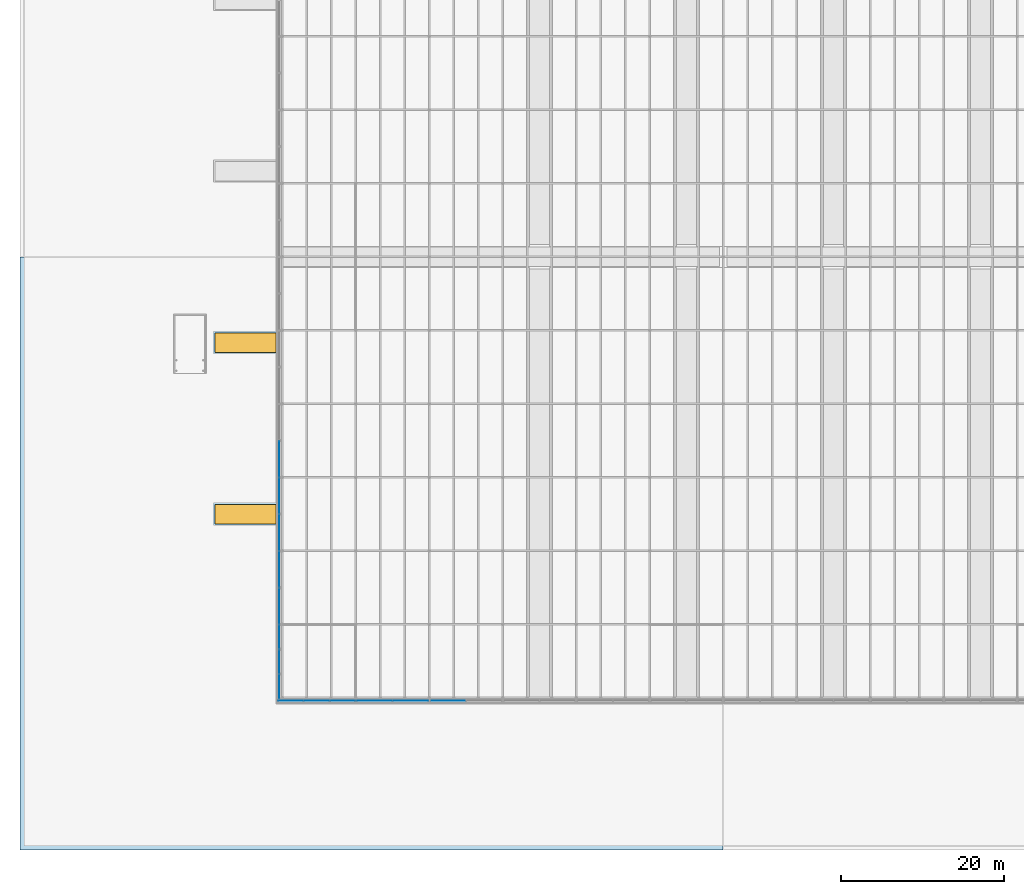
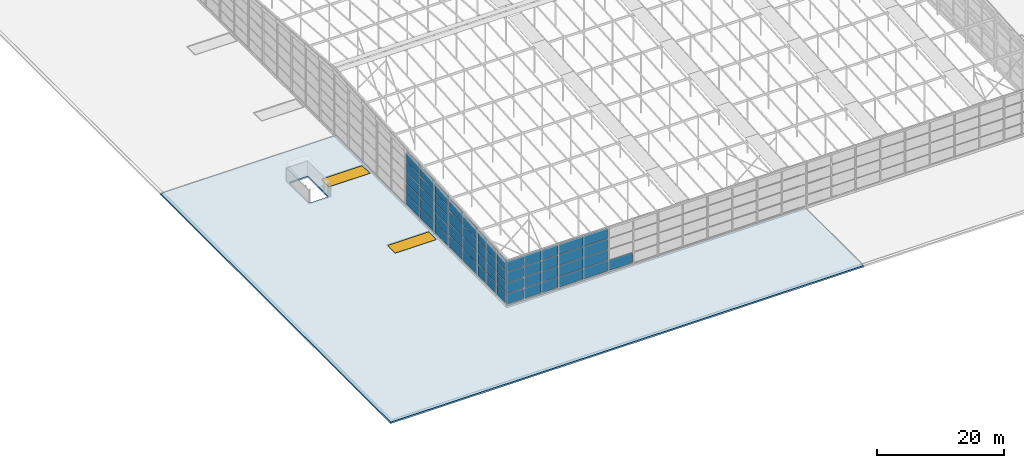
"""IFC4 building model written with IfcOpenShell, lengths in metres."""

from ifc_helpers import new_model, si_unit, direction, frame, origin, origin_2d, place, context, subcontext, project, spatial, polyline, rectangle, outline, extrude, material, layer, layer_set, type_object, element, fill, aggregate, save


model = new_model("IFC4")

# Units and contexts
model_context = context("Model", 3, precision=1e-05, world=origin(), true_north=direction((0.0, 1.0)))
body_context = subcontext(model_context, "Body", "Model", "MODEL_VIEW")
ifc_project = project(units=[si_unit("LENGTHUNIT", "METRE"), si_unit("AREAUNIT", "SQUARE_METRE"), si_unit("VOLUMEUNIT", "CUBIC_METRE"), si_unit("PLANEANGLEUNIT", "RADIAN"), si_unit("MASSUNIT", "GRAM", prefix="KILO")], contexts=[model_context])

# Site, building, storey
site_placement = place(None, origin())
site = spatial("IfcSite", under=ifc_project, at=site_placement, CompositionType="ELEMENT")
building_placement = place(site_placement, origin())
building = spatial("IfcBuilding", under=site, at=building_placement, Name="Silverbay Arena", CompositionType="ELEMENT")
storey_1_placement = place(building_placement, frame((0.0, 0.0, 47.10009765625)))
storey_1 = spatial("IfcBuildingStorey", under=building, at=storey_1_placement, Name="ROOF", CompositionType="ELEMENT", Elevation=47.10009765625)

# Curtain wall, plates
ifc_material_1 = material(Name="Aluminium framed glazing", Category="aluminium")
curtain_wall_type_1 = type_object("IfcCurtainWallType", Name="Curtain wall crown 9575 x 8425", PredefinedType="NOTDEFINED", material=ifc_material_1)
curtain_wall_1_placement = place(storey_1_placement, origin())
curtain_wall_1 = element("IfcCurtainWall", 1, at=curtain_wall_1_placement, inside=storey_1, type_object=curtain_wall_type_1, Name="ROOF CROWN CURTAIN WALL south bay 01", PredefinedType="NOTDEFINED")
ifc_material_2 = material(Name="Laminated glass", Category="glass")
ifc_layer_1 = layer(ifc_material_2, 0.031982421875)
ifc_layer_set_1 = layer_set([ifc_layer_1], Name="Laminated glass")
plate_type = type_object("IfcPlateType", Name="Glass panel 32", PredefinedType="CURTAIN_PANEL", material=ifc_layer_set_1)
storey_2_placement = place(building_placement, frame((0.0, 0.0, 33.5)))
plate_1_placement = place(storey_2_placement, frame((82.0458984375, 26.64990234375, 14.110107421875), z_axis=(0.0, 0.0, 1.0), x_axis=(1.0, 0.0, 0.0)))
plate_1 = element("IfcPlate", 2, at=plate_1_placement, type_object=plate_type, Name="CW61 panel 1.1", PredefinedType="CURTAIN_PANEL", context=body_context, shape_type="SweptSolid", body=[
    extrude(rectangle(XDim=3.041748046875, YDim=0.031982421875, at=origin_2d()), origin(), (0.0, 0.0, 1.0), 2.01611328125),
])
plate_2_placement = place(storey_2_placement, frame((82.0458984375, 26.64990234375, 16.18603515625), z_axis=(0.0, 0.0, 1.0), x_axis=(1.0, 0.0, 0.0)))
plate_2 = element("IfcPlate", 3, at=plate_2_placement, type_object=plate_type, Name="CW61 panel 1.2", PredefinedType="CURTAIN_PANEL", context=body_context, shape_type="SweptSolid", body=[
    extrude(rectangle(XDim=3.041748046875, YDim=0.031982421875, at=origin_2d()), origin(), (0.0, 0.0, 1.0), 2.046142578125),
])
plate_3_placement = place(storey_2_placement, frame((82.0458984375, 26.64990234375, 18.29248046875), z_axis=(0.0, 0.0, 1.0), x_axis=(1.0, 0.0, 0.0)))
plate_3 = element("IfcPlate", 4, at=plate_3_placement, type_object=plate_type, Name="CW61 panel 1.3", PredefinedType="CURTAIN_PANEL", context=body_context, shape_type="SweptSolid", body=[
    extrude(rectangle(XDim=3.041748046875, YDim=0.031982421875, at=origin_2d()), origin(), (0.0, 0.0, 1.0), 2.046142578125),
])
plate_4_placement = place(storey_2_placement, frame((82.0458984375, 26.64990234375, 20.398681640625), z_axis=(0.0, 0.0, 1.0), x_axis=(1.0, 0.0, 0.0)))
plate_4 = element("IfcPlate", 5, at=plate_4_placement, type_object=plate_type, Name="CW61 panel 1.4", PredefinedType="CURTAIN_PANEL", context=body_context, shape_type="SweptSolid", body=[
    extrude(rectangle(XDim=3.041748046875, YDim=0.031982421875, at=origin_2d()), origin(), (0.0, 0.0, 1.0), 2.01611328125),
])
plate_5_placement = place(storey_2_placement, frame((85.21240234375, 26.64990234375, 14.110107421875), z_axis=(0.0, 0.0, 1.0), x_axis=(1.0, 0.0, 0.0)))
plate_5 = element("IfcPlate", 6, at=plate_5_placement, type_object=plate_type, Name="CW61 panel 2.1", PredefinedType="CURTAIN_PANEL", context=body_context, shape_type="SweptSolid", body=[
    extrude(rectangle(XDim=3.091552734375, YDim=0.031982421875, at=origin_2d()), origin(), (0.0, 0.0, 1.0), 2.01611328125),
])
plate_6_placement = place(storey_2_placement, frame((85.21240234375, 26.64990234375, 16.18603515625), z_axis=(0.0, 0.0, 1.0), x_axis=(1.0, 0.0, 0.0)))
plate_6 = element("IfcPlate", 7, at=plate_6_placement, type_object=plate_type, Name="CW61 panel 2.2", PredefinedType="CURTAIN_PANEL", context=body_context, shape_type="SweptSolid", body=[
    extrude(rectangle(XDim=3.091552734375, YDim=0.031982421875, at=origin_2d()), origin(), (0.0, 0.0, 1.0), 2.046142578125),
])
plate_7_placement = place(storey_2_placement, frame((85.21240234375, 26.64990234375, 18.29248046875), z_axis=(0.0, 0.0, 1.0), x_axis=(1.0, 0.0, 0.0)))
plate_7 = element("IfcPlate", 8, at=plate_7_placement, type_object=plate_type, Name="CW61 panel 2.3", PredefinedType="CURTAIN_PANEL", context=body_context, shape_type="SweptSolid", body=[
    extrude(rectangle(XDim=3.091552734375, YDim=0.031982421875, at=origin_2d()), origin(), (0.0, 0.0, 1.0), 2.046142578125),
])
plate_8_placement = place(storey_2_placement, frame((85.21240234375, 26.64990234375, 20.398681640625), z_axis=(0.0, 0.0, 1.0), x_axis=(1.0, 0.0, 0.0)))
plate_8 = element("IfcPlate", 9, at=plate_8_placement, type_object=plate_type, Name="CW61 panel 2.4", PredefinedType="CURTAIN_PANEL", context=body_context, shape_type="SweptSolid", body=[
    extrude(rectangle(XDim=3.091552734375, YDim=0.031982421875, at=origin_2d()), origin(), (0.0, 0.0, 1.0), 2.01611328125),
])
plate_9_placement = place(storey_2_placement, frame((88.379150390625, 26.64990234375, 14.110107421875), z_axis=(0.0, 0.0, 1.0), x_axis=(1.0, 0.0, 0.0)))
plate_9 = element("IfcPlate", 10, at=plate_9_placement, type_object=plate_type, Name="CW61 panel 3.1", PredefinedType="CURTAIN_PANEL", context=body_context, shape_type="SweptSolid", body=[
    extrude(rectangle(XDim=3.041748046875, YDim=0.031982421875, at=origin_2d()), origin(), (0.0, 0.0, 1.0), 2.01611328125),
])
plate_10_placement = place(storey_2_placement, frame((88.379150390625, 26.64990234375, 16.18603515625), z_axis=(0.0, 0.0, 1.0), x_axis=(1.0, 0.0, 0.0)))
plate_10 = element("IfcPlate", 11, at=plate_10_placement, type_object=plate_type, Name="CW61 panel 3.2", PredefinedType="CURTAIN_PANEL", context=body_context, shape_type="SweptSolid", body=[
    extrude(rectangle(XDim=3.041748046875, YDim=0.031982421875, at=origin_2d()), origin(), (0.0, 0.0, 1.0), 2.046142578125),
])
plate_11_placement = place(storey_2_placement, frame((88.379150390625, 26.64990234375, 18.29248046875), z_axis=(0.0, 0.0, 1.0), x_axis=(1.0, 0.0, 0.0)))
plate_11 = element("IfcPlate", 12, at=plate_11_placement, type_object=plate_type, Name="CW61 panel 3.3", PredefinedType="CURTAIN_PANEL", context=body_context, shape_type="SweptSolid", body=[
    extrude(rectangle(XDim=3.041748046875, YDim=0.031982421875, at=origin_2d()), origin(), (0.0, 0.0, 1.0), 2.046142578125),
])
plate_12_placement = place(storey_2_placement, frame((88.379150390625, 26.64990234375, 20.398681640625), z_axis=(0.0, 0.0, 1.0), x_axis=(1.0, 0.0, 0.0)))
plate_12 = element("IfcPlate", 13, at=plate_12_placement, type_object=plate_type, Name="CW61 panel 3.4", PredefinedType="CURTAIN_PANEL", context=body_context, shape_type="SweptSolid", body=[
    extrude(rectangle(XDim=3.041748046875, YDim=0.031982421875, at=origin_2d()), origin(), (0.0, 0.0, 1.0), 2.01611328125),
])
aggregate(curtain_wall_1, [plate_1, plate_2, plate_3, plate_4, plate_5, plate_6, plate_7, plate_8, plate_9, plate_10, plate_11, plate_12])

ifc_material_3 = material(Name="Aluminium framed glazing", Category="aluminium")
curtain_wall_type_2 = type_object("IfcCurtainWallType", Name="Curtain wall crown 9000 x 8425", PredefinedType="NOTDEFINED", material=ifc_material_3)
curtain_wall_2_placement = place(storey_1_placement, origin())
curtain_wall_2 = element("IfcCurtainWall", 14, at=curtain_wall_2_placement, inside=storey_1, type_object=curtain_wall_type_2, Name="ROOF CROWN CURTAIN WALL south bay 02", PredefinedType="NOTDEFINED")
plate_13_placement = place(storey_2_placement, frame((92.27490234375, 26.64990234375, 14.110107421875), z_axis=(0.0, 0.0, 1.0), x_axis=(1.0, 0.0, 0.0)))
plate_13 = element("IfcPlate", 15, at=plate_13_placement, type_object=plate_type, Name="CW62 panel 1.1", PredefinedType="CURTAIN_PANEL", context=body_context, shape_type="SweptSolid", body=[
    extrude(rectangle(XDim=4.35009765625, YDim=0.031982421875, at=origin_2d()), origin(), (0.0, 0.0, 1.0), 2.01611328125),
])
plate_14_placement = place(storey_2_placement, frame((92.27490234375, 26.64990234375, 16.18603515625), z_axis=(0.0, 0.0, 1.0), x_axis=(1.0, 0.0, 0.0)))
plate_14 = element("IfcPlate", 16, at=plate_14_placement, type_object=plate_type, Name="CW62 panel 1.2", PredefinedType="CURTAIN_PANEL", context=body_context, shape_type="SweptSolid", body=[
    extrude(rectangle(XDim=4.35009765625, YDim=0.031982421875, at=origin_2d()), origin(), (0.0, 0.0, 1.0), 2.046142578125),
])
plate_15_placement = place(storey_2_placement, frame((92.27490234375, 26.64990234375, 18.29248046875), z_axis=(0.0, 0.0, 1.0), x_axis=(1.0, 0.0, 0.0)))
plate_15 = element("IfcPlate", 17, at=plate_15_placement, type_object=plate_type, Name="CW62 panel 1.3", PredefinedType="CURTAIN_PANEL", context=body_context, shape_type="SweptSolid", body=[
    extrude(rectangle(XDim=4.35009765625, YDim=0.031982421875, at=origin_2d()), origin(), (0.0, 0.0, 1.0), 2.046142578125),
])
plate_16_placement = place(storey_2_placement, frame((92.27490234375, 26.64990234375, 20.398681640625), z_axis=(0.0, 0.0, 1.0), x_axis=(1.0, 0.0, 0.0)))
plate_16 = element("IfcPlate", 18, at=plate_16_placement, type_object=plate_type, Name="CW62 panel 1.4", PredefinedType="CURTAIN_PANEL", context=body_context, shape_type="SweptSolid", body=[
    extrude(rectangle(XDim=4.35009765625, YDim=0.031982421875, at=origin_2d()), origin(), (0.0, 0.0, 1.0), 2.01611328125),
])
plate_17_placement = place(storey_2_placement, frame((96.72509765625, 26.64990234375, 14.110107421875), z_axis=(0.0, 0.0, 1.0), x_axis=(1.0, 0.0, 0.0)))
plate_17 = element("IfcPlate", 19, at=plate_17_placement, type_object=plate_type, Name="CW62 panel 2.1", PredefinedType="CURTAIN_PANEL", context=body_context, shape_type="SweptSolid", body=[
    extrude(rectangle(XDim=4.35009765625, YDim=0.031982421875, at=origin_2d()), origin(), (0.0, 0.0, 1.0), 2.01611328125),
])
plate_18_placement = place(storey_2_placement, frame((96.72509765625, 26.64990234375, 16.18603515625), z_axis=(0.0, 0.0, 1.0), x_axis=(1.0, 0.0, 0.0)))
plate_18 = element("IfcPlate", 20, at=plate_18_placement, type_object=plate_type, Name="CW62 panel 2.2", PredefinedType="CURTAIN_PANEL", context=body_context, shape_type="SweptSolid", body=[
    extrude(rectangle(XDim=4.35009765625, YDim=0.031982421875, at=origin_2d()), origin(), (0.0, 0.0, 1.0), 2.046142578125),
])
plate_19_placement = place(storey_2_placement, frame((96.72509765625, 26.64990234375, 18.29248046875), z_axis=(0.0, 0.0, 1.0), x_axis=(1.0, 0.0, 0.0)))
plate_19 = element("IfcPlate", 21, at=plate_19_placement, type_object=plate_type, Name="CW62 panel 2.3", PredefinedType="CURTAIN_PANEL", context=body_context, shape_type="SweptSolid", body=[
    extrude(rectangle(XDim=4.35009765625, YDim=0.031982421875, at=origin_2d()), origin(), (0.0, 0.0, 1.0), 2.046142578125),
])
plate_20_placement = place(storey_2_placement, frame((96.72509765625, 26.64990234375, 20.398681640625), z_axis=(0.0, 0.0, 1.0), x_axis=(1.0, 0.0, 0.0)))
plate_20 = element("IfcPlate", 22, at=plate_20_placement, type_object=plate_type, Name="CW62 panel 2.4", PredefinedType="CURTAIN_PANEL", context=body_context, shape_type="SweptSolid", body=[
    extrude(rectangle(XDim=4.35009765625, YDim=0.031982421875, at=origin_2d()), origin(), (0.0, 0.0, 1.0), 2.01611328125),
])
aggregate(curtain_wall_2, [plate_13, plate_14, plate_15, plate_16, plate_17, plate_18, plate_19, plate_20])

# Curtain wall, plate
curtain_wall_3_placement = place(storey_1_placement, origin())
curtain_wall_3 = element("IfcCurtainWall", 23, at=curtain_wall_3_placement, inside=storey_1, type_object=curtain_wall_type_2, Name="ROOF CROWN CURTAIN WALL south bay 03", PredefinedType="NOTDEFINED")
plate_21_placement = place(storey_2_placement, frame((101.27490234375, 26.64990234375, 14.110107421875), z_axis=(0.0, 0.0, 1.0), x_axis=(1.0, 0.0, 0.0)))
plate_21 = element("IfcPlate", 24, at=plate_21_placement, type_object=plate_type, Name="CW62 panel 1.1", PredefinedType="CURTAIN_PANEL", context=body_context, shape_type="SweptSolid", body=[
    extrude(rectangle(XDim=4.35009765625, YDim=0.031982421875, at=origin_2d()), origin(), (0.0, 0.0, 1.0), 2.01611328125),
])
aggregate(curtain_wall_3, [plate_21])

# Curtain wall, plates
ifc_material_4 = material(Name="Aluminium framed glazing", Category="aluminium")
curtain_wall_type_3 = type_object("IfcCurtainWallType", Name="Curtain wall crown 3042 x 8441", PredefinedType="NOTDEFINED", material=ifc_material_4)
curtain_wall_4_placement = place(storey_1_placement, origin())
curtain_wall_4 = element("IfcCurtainWall", 25, at=curtain_wall_4_placement, inside=storey_1, type_object=curtain_wall_type_3, Name="ROOF CROWN CURTAIN WALL west bay 01", PredefinedType="NOTDEFINED")
plate_22_placement = place(storey_2_placement, frame((80.64990234375, 28.395751953125, 14.10986328125), z_axis=(0.0, 0.0, 1.0), x_axis=(0.0, 1.0, 0.0)))
plate_22 = element("IfcPlate", 26, at=plate_22_placement, type_object=plate_type, Name="CW63 panel 1.1", PredefinedType="CURTAIN_PANEL", context=body_context, shape_type="SweptSolid", body=[
    extrude(rectangle(XDim=2.841552734375, YDim=0.031982421875, at=origin_2d()), origin(), (0.0, 0.0, 1.0), 2.020263671875),
])
plate_23_placement = place(storey_2_placement, frame((80.64990234375, 28.395751953125, 16.190185546875), z_axis=(0.0, 0.0, 1.0), x_axis=(0.0, 1.0, 0.0)))
plate_23 = element("IfcPlate", 27, at=plate_23_placement, type_object=plate_type, Name="CW63 panel 1.2", PredefinedType="CURTAIN_PANEL", context=body_context, shape_type="SweptSolid", body=[
    extrude(rectangle(XDim=2.841552734375, YDim=0.031982421875, at=origin_2d()), origin(), (0.0, 0.0, 1.0), 2.05029296875),
])
plate_24_placement = place(storey_2_placement, frame((80.64990234375, 28.395751953125, 18.300537109375), z_axis=(0.0, 0.0, 1.0), x_axis=(0.0, 1.0, 0.0)))
plate_24 = element("IfcPlate", 28, at=plate_24_placement, type_object=plate_type, Name="CW63 panel 1.3", PredefinedType="CURTAIN_PANEL", context=body_context, shape_type="SweptSolid", body=[
    extrude(rectangle(XDim=2.841552734375, YDim=0.031982421875, at=origin_2d()), origin(), (0.0, 0.0, 1.0), 2.05029296875),
])
plate_25_placement = place(storey_2_placement, frame((80.64990234375, 28.395751953125, 20.41064453125), z_axis=(0.0, 0.0, 1.0), x_axis=(0.0, 1.0, 0.0)))
plate_25 = element("IfcPlate", 29, at=plate_25_placement, type_object=plate_type, Name="CW63 panel 1.4", PredefinedType="CURTAIN_PANEL", context=body_context, shape_type="SweptSolid", body=[
    extrude(rectangle(XDim=2.841552734375, YDim=0.031982421875, at=origin_2d()), origin(), (0.0, 0.0, 1.0), 2.020263671875),
])
aggregate(curtain_wall_4, [plate_22, plate_23, plate_24, plate_25])

ifc_material_5 = material(Name="Aluminium framed glazing", Category="aluminium")
curtain_wall_type_4 = type_object("IfcCurtainWallType", Name="Curtain wall crown 3042 x 8661", PredefinedType="NOTDEFINED", material=ifc_material_5)
curtain_wall_5_placement = place(storey_1_placement, origin())
curtain_wall_5 = element("IfcCurtainWall", 30, at=curtain_wall_5_placement, inside=storey_1, type_object=curtain_wall_type_4, Name="ROOF CROWN CURTAIN WALL west bay 02", PredefinedType="NOTDEFINED")
plate_26_placement = place(storey_2_placement, frame((80.64990234375, 31.4375, 14.10986328125), z_axis=(0.0, 0.0, 1.0), x_axis=(0.0, 1.0, 0.0)))
plate_26 = element("IfcPlate", 31, at=plate_26_placement, type_object=plate_type, Name="CW64 panel 1.1", PredefinedType="CURTAIN_PANEL", context=body_context, shape_type="SweptSolid", body=[
    extrude(rectangle(XDim=2.841552734375, YDim=0.031982421875, at=origin_2d()), origin(), (0.0, 0.0, 1.0), 2.0751953125),
])
plate_27_placement = place(storey_2_placement, frame((80.64990234375, 31.4375, 16.2451171875), z_axis=(0.0, 0.0, 1.0), x_axis=(0.0, 1.0, 0.0)))
plate_27 = element("IfcPlate", 32, at=plate_27_placement, type_object=plate_type, Name="CW64 panel 1.2", PredefinedType="CURTAIN_PANEL", context=body_context, shape_type="SweptSolid", body=[
    extrude(rectangle(XDim=2.841552734375, YDim=0.031982421875, at=origin_2d()), origin(), (0.0, 0.0, 1.0), 2.105224609375),
])
plate_28_placement = place(storey_2_placement, frame((80.64990234375, 31.4375, 18.41015625), z_axis=(0.0, 0.0, 1.0), x_axis=(0.0, 1.0, 0.0)))
plate_28 = element("IfcPlate", 33, at=plate_28_placement, type_object=plate_type, Name="CW64 panel 1.3", PredefinedType="CURTAIN_PANEL", context=body_context, shape_type="SweptSolid", body=[
    extrude(rectangle(XDim=2.841552734375, YDim=0.031982421875, at=origin_2d()), origin(), (0.0, 0.0, 1.0), 2.105224609375),
])
plate_29_placement = place(storey_2_placement, frame((80.64990234375, 31.4375, 20.575439453125), z_axis=(0.0, 0.0, 1.0), x_axis=(0.0, 1.0, 0.0)))
plate_29 = element("IfcPlate", 34, at=plate_29_placement, type_object=plate_type, Name="CW64 panel 1.4", PredefinedType="CURTAIN_PANEL", context=body_context, shape_type="SweptSolid", body=[
    extrude(rectangle(XDim=2.841552734375, YDim=0.031982421875, at=origin_2d()), origin(), (0.0, 0.0, 1.0), 2.0751953125),
])
aggregate(curtain_wall_5, [plate_26, plate_27, plate_28, plate_29])

ifc_material_6 = material(Name="Aluminium framed glazing", Category="aluminium")
curtain_wall_type_5 = type_object("IfcCurtainWallType", Name="Curtain wall crown 3042 x 8880", PredefinedType="NOTDEFINED", material=ifc_material_6)
curtain_wall_6_placement = place(storey_1_placement, origin())
curtain_wall_6 = element("IfcCurtainWall", 35, at=curtain_wall_6_placement, inside=storey_1, type_object=curtain_wall_type_5, Name="ROOF CROWN CURTAIN WALL west bay 03", PredefinedType="NOTDEFINED")
plate_30_placement = place(storey_2_placement, frame((80.64990234375, 34.479248046875, 14.10986328125), z_axis=(0.0, 0.0, 1.0), x_axis=(0.0, 1.0, 0.0)))
plate_30 = element("IfcPlate", 36, at=plate_30_placement, type_object=plate_type, Name="CW65 panel 1.1", PredefinedType="CURTAIN_PANEL", context=body_context, shape_type="SweptSolid", body=[
    extrude(rectangle(XDim=2.841552734375, YDim=0.031982421875, at=origin_2d()), origin(), (0.0, 0.0, 1.0), 2.130126953125),
])
plate_31_placement = place(storey_2_placement, frame((80.64990234375, 34.479248046875, 16.300048828125), z_axis=(0.0, 0.0, 1.0), x_axis=(0.0, 1.0, 0.0)))
plate_31 = element("IfcPlate", 37, at=plate_31_placement, type_object=plate_type, Name="CW65 panel 1.2", PredefinedType="CURTAIN_PANEL", context=body_context, shape_type="SweptSolid", body=[
    extrude(rectangle(XDim=2.841552734375, YDim=0.031982421875, at=origin_2d()), origin(), (0.0, 0.0, 1.0), 2.16015625),
])
plate_32_placement = place(storey_2_placement, frame((80.64990234375, 34.479248046875, 18.52001953125), z_axis=(0.0, 0.0, 1.0), x_axis=(0.0, 1.0, 0.0)))
plate_32 = element("IfcPlate", 38, at=plate_32_placement, type_object=plate_type, Name="CW65 panel 1.3", PredefinedType="CURTAIN_PANEL", context=body_context, shape_type="SweptSolid", body=[
    extrude(rectangle(XDim=2.841552734375, YDim=0.031982421875, at=origin_2d()), origin(), (0.0, 0.0, 1.0), 2.16015625),
])
plate_33_placement = place(storey_2_placement, frame((80.64990234375, 34.479248046875, 20.740234375), z_axis=(0.0, 0.0, 1.0), x_axis=(0.0, 1.0, 0.0)))
plate_33 = element("IfcPlate", 39, at=plate_33_placement, type_object=plate_type, Name="CW65 panel 1.4", PredefinedType="CURTAIN_PANEL", context=body_context, shape_type="SweptSolid", body=[
    extrude(rectangle(XDim=2.841552734375, YDim=0.031982421875, at=origin_2d()), origin(), (0.0, 0.0, 1.0), 2.130126953125),
])
aggregate(curtain_wall_6, [plate_30, plate_31, plate_32, plate_33])

ifc_material_7 = material(Name="Aluminium framed glazing", Category="aluminium")
curtain_wall_type_6 = type_object("IfcCurtainWallType", Name="Curtain wall crown 4500 x 9100", PredefinedType="NOTDEFINED", material=ifc_material_7)
curtain_wall_7_placement = place(storey_1_placement, origin())
curtain_wall_7 = element("IfcCurtainWall", 40, at=curtain_wall_7_placement, inside=storey_1, type_object=curtain_wall_type_6, Name="ROOF CROWN CURTAIN WALL west bay 04", PredefinedType="NOTDEFINED")
plate_34_placement = place(storey_2_placement, frame((80.64990234375, 38.25, 14.10986328125), z_axis=(0.0, 0.0, 1.0), x_axis=(0.0, 1.0, 0.0)))
plate_34 = element("IfcPlate", 41, at=plate_34_placement, type_object=plate_type, Name="CW66 panel 1.1", PredefinedType="CURTAIN_PANEL", context=body_context, shape_type="SweptSolid", body=[
    extrude(rectangle(XDim=4.300048828125, YDim=0.031982421875, at=origin_2d()), origin(), (0.0, 0.0, 1.0), 2.18505859375),
])
plate_35_placement = place(storey_2_placement, frame((80.64990234375, 38.25, 16.35498046875), z_axis=(0.0, 0.0, 1.0), x_axis=(0.0, 1.0, 0.0)))
plate_35 = element("IfcPlate", 42, at=plate_35_placement, type_object=plate_type, Name="CW66 panel 1.2", PredefinedType="CURTAIN_PANEL", context=body_context, shape_type="SweptSolid", body=[
    extrude(rectangle(XDim=4.300048828125, YDim=0.031982421875, at=origin_2d()), origin(), (0.0, 0.0, 1.0), 2.215087890625),
])
plate_36_placement = place(storey_2_placement, frame((80.64990234375, 38.25, 18.6298828125), z_axis=(0.0, 0.0, 1.0), x_axis=(0.0, 1.0, 0.0)))
plate_36 = element("IfcPlate", 43, at=plate_36_placement, type_object=plate_type, Name="CW66 panel 1.3", PredefinedType="CURTAIN_PANEL", context=body_context, shape_type="SweptSolid", body=[
    extrude(rectangle(XDim=4.300048828125, YDim=0.031982421875, at=origin_2d()), origin(), (0.0, 0.0, 1.0), 2.215087890625),
])
plate_37_placement = place(storey_2_placement, frame((80.64990234375, 38.25, 20.905029296875), z_axis=(0.0, 0.0, 1.0), x_axis=(0.0, 1.0, 0.0)))
plate_37 = element("IfcPlate", 44, at=plate_37_placement, type_object=plate_type, Name="CW66 panel 1.4", PredefinedType="CURTAIN_PANEL", context=body_context, shape_type="SweptSolid", body=[
    extrude(rectangle(XDim=4.300048828125, YDim=0.031982421875, at=origin_2d()), origin(), (0.0, 0.0, 1.0), 2.18505859375),
])
aggregate(curtain_wall_7, [plate_34, plate_35, plate_36, plate_37])

ifc_material_8 = material(Name="Aluminium framed glazing", Category="aluminium")
curtain_wall_type_7 = type_object("IfcCurtainWallType", Name="Curtain wall crown 4500 x 9425", PredefinedType="NOTDEFINED", material=ifc_material_8)
curtain_wall_8_placement = place(storey_1_placement, origin())
curtain_wall_8 = element("IfcCurtainWall", 45, at=curtain_wall_8_placement, inside=storey_1, type_object=curtain_wall_type_7, Name="ROOF CROWN CURTAIN WALL west bay 05", PredefinedType="NOTDEFINED")
plate_38_placement = place(storey_2_placement, frame((80.64990234375, 42.75, 14.10986328125), z_axis=(0.0, 0.0, 1.0), x_axis=(0.0, 1.0, 0.0)))
plate_38 = element("IfcPlate", 46, at=plate_38_placement, type_object=plate_type, Name="CW67 panel 1.1", PredefinedType="CURTAIN_PANEL", context=body_context, shape_type="SweptSolid", body=[
    extrude(rectangle(XDim=4.300048828125, YDim=0.031982421875, at=origin_2d()), origin(), (0.0, 0.0, 1.0), 2.266357421875),
])
plate_39_placement = place(storey_2_placement, frame((80.64990234375, 42.75, 16.4365234375), z_axis=(0.0, 0.0, 1.0), x_axis=(0.0, 1.0, 0.0)))
plate_39 = element("IfcPlate", 47, at=plate_39_placement, type_object=plate_type, Name="CW67 panel 1.2", PredefinedType="CURTAIN_PANEL", context=body_context, shape_type="SweptSolid", body=[
    extrude(rectangle(XDim=4.300048828125, YDim=0.031982421875, at=origin_2d()), origin(), (0.0, 0.0, 1.0), 2.296142578125),
])
plate_40_placement = place(storey_2_placement, frame((80.64990234375, 42.75, 18.79248046875), z_axis=(0.0, 0.0, 1.0), x_axis=(0.0, 1.0, 0.0)))
plate_40 = element("IfcPlate", 48, at=plate_40_placement, type_object=plate_type, Name="CW67 panel 1.3", PredefinedType="CURTAIN_PANEL", context=body_context, shape_type="SweptSolid", body=[
    extrude(rectangle(XDim=4.300048828125, YDim=0.031982421875, at=origin_2d()), origin(), (0.0, 0.0, 1.0), 2.296142578125),
])
plate_41_placement = place(storey_2_placement, frame((80.64990234375, 42.75, 21.14892578125), z_axis=(0.0, 0.0, 1.0), x_axis=(0.0, 1.0, 0.0)))
plate_41 = element("IfcPlate", 49, at=plate_41_placement, type_object=plate_type, Name="CW67 panel 1.4", PredefinedType="CURTAIN_PANEL", context=body_context, shape_type="SweptSolid", body=[
    extrude(rectangle(XDim=4.300048828125, YDim=0.031982421875, at=origin_2d()), origin(), (0.0, 0.0, 1.0), 2.266357421875),
])
aggregate(curtain_wall_8, [plate_38, plate_39, plate_40, plate_41])

ifc_material_9 = material(Name="Aluminium framed glazing", Category="aluminium")
curtain_wall_type_8 = type_object("IfcCurtainWallType", Name="Curtain wall crown 4500 x 9750", PredefinedType="NOTDEFINED", material=ifc_material_9)
curtain_wall_9_placement = place(storey_1_placement, origin())
curtain_wall_9 = element("IfcCurtainWall", 50, at=curtain_wall_9_placement, inside=storey_1, type_object=curtain_wall_type_8, Name="ROOF CROWN CURTAIN WALL west bay 06", PredefinedType="NOTDEFINED")
plate_42_placement = place(storey_2_placement, frame((80.64990234375, 47.25, 14.10986328125), z_axis=(0.0, 0.0, 1.0), x_axis=(0.0, 1.0, 0.0)))
plate_42 = element("IfcPlate", 51, at=plate_42_placement, type_object=plate_type, Name="CW68 panel 1.1", PredefinedType="CURTAIN_PANEL", context=body_context, shape_type="SweptSolid", body=[
    extrude(rectangle(XDim=4.300048828125, YDim=0.031982421875, at=origin_2d()), origin(), (0.0, 0.0, 1.0), 1.860107421875),
])
plate_43_placement = place(storey_2_placement, frame((80.64990234375, 47.25, 16.0302734375), z_axis=(0.0, 0.0, 1.0), x_axis=(0.0, 1.0, 0.0)))
plate_43 = element("IfcPlate", 52, at=plate_43_placement, type_object=plate_type, Name="CW68 panel 1.2", PredefinedType="CURTAIN_PANEL", context=body_context, shape_type="SweptSolid", body=[
    extrude(rectangle(XDim=4.300048828125, YDim=0.031982421875, at=origin_2d()), origin(), (0.0, 0.0, 1.0), 1.889892578125),
])
plate_44_placement = place(storey_2_placement, frame((80.64990234375, 47.25, 17.97998046875), z_axis=(0.0, 0.0, 1.0), x_axis=(0.0, 1.0, 0.0)))
plate_44 = element("IfcPlate", 53, at=plate_44_placement, type_object=plate_type, Name="CW68 panel 1.3", PredefinedType="CURTAIN_PANEL", context=body_context, shape_type="SweptSolid", body=[
    extrude(rectangle(XDim=4.300048828125, YDim=0.031982421875, at=origin_2d()), origin(), (0.0, 0.0, 1.0), 1.889892578125),
])
plate_45_placement = place(storey_2_placement, frame((80.64990234375, 47.25, 19.93017578125), z_axis=(0.0, 0.0, 1.0), x_axis=(0.0, 1.0, 0.0)))
plate_45 = element("IfcPlate", 54, at=plate_45_placement, type_object=plate_type, Name="CW68 panel 1.4", PredefinedType="CURTAIN_PANEL", context=body_context, shape_type="SweptSolid", body=[
    extrude(rectangle(XDim=4.300048828125, YDim=0.031982421875, at=origin_2d()), origin(), (0.0, 0.0, 1.0), 1.889892578125),
])
plate_46_placement = place(storey_2_placement, frame((80.64990234375, 47.25, 21.8798828125), z_axis=(0.0, 0.0, 1.0), x_axis=(0.0, 1.0, 0.0)))
plate_46 = element("IfcPlate", 55, at=plate_46_placement, type_object=plate_type, Name="CW68 panel 1.5", PredefinedType="CURTAIN_PANEL", context=body_context, shape_type="SweptSolid", body=[
    extrude(rectangle(XDim=4.300048828125, YDim=0.031982421875, at=origin_2d()), origin(), (0.0, 0.0, 1.0), 1.860107421875),
])
aggregate(curtain_wall_9, [plate_42, plate_43, plate_44, plate_45, plate_46])

ifc_material_10 = material(Name="Aluminium framed glazing", Category="aluminium")
curtain_wall_type_9 = type_object("IfcCurtainWallType", Name="Curtain wall crown 4500 x 10075", PredefinedType="NOTDEFINED", material=ifc_material_10)
curtain_wall_10_placement = place(storey_1_placement, origin())
curtain_wall_10 = element("IfcCurtainWall", 56, at=curtain_wall_10_placement, inside=storey_1, type_object=curtain_wall_type_9, Name="ROOF CROWN CURTAIN WALL west bay 07", PredefinedType="NOTDEFINED")
plate_47_placement = place(storey_2_placement, frame((80.64990234375, 51.75, 14.10986328125), z_axis=(0.0, 0.0, 1.0), x_axis=(0.0, 1.0, 0.0)))
plate_47 = element("IfcPlate", 57, at=plate_47_placement, type_object=plate_type, Name="CW69 panel 1.1", PredefinedType="CURTAIN_PANEL", context=body_context, shape_type="SweptSolid", body=[
    extrude(rectangle(XDim=4.300048828125, YDim=0.031982421875, at=origin_2d()), origin(), (0.0, 0.0, 1.0), 1.925048828125),
])
plate_48_placement = place(storey_2_placement, frame((80.64990234375, 51.75, 16.094970703125), z_axis=(0.0, 0.0, 1.0), x_axis=(0.0, 1.0, 0.0)))
plate_48 = element("IfcPlate", 58, at=plate_48_placement, type_object=plate_type, Name="CW69 panel 1.2", PredefinedType="CURTAIN_PANEL", context=body_context, shape_type="SweptSolid", body=[
    extrude(rectangle(XDim=4.300048828125, YDim=0.031982421875, at=origin_2d()), origin(), (0.0, 0.0, 1.0), 1.955078125),
])
plate_49_placement = place(storey_2_placement, frame((80.64990234375, 51.75, 18.10986328125), z_axis=(0.0, 0.0, 1.0), x_axis=(0.0, 1.0, 0.0)))
plate_49 = element("IfcPlate", 59, at=plate_49_placement, type_object=plate_type, Name="CW69 panel 1.3", PredefinedType="CURTAIN_PANEL", context=body_context, shape_type="SweptSolid", body=[
    extrude(rectangle(XDim=4.300048828125, YDim=0.031982421875, at=origin_2d()), origin(), (0.0, 0.0, 1.0), 1.955078125),
])
plate_50_placement = place(storey_2_placement, frame((80.64990234375, 51.75, 20.125), z_axis=(0.0, 0.0, 1.0), x_axis=(0.0, 1.0, 0.0)))
plate_50 = element("IfcPlate", 60, at=plate_50_placement, type_object=plate_type, Name="CW69 panel 1.4", PredefinedType="CURTAIN_PANEL", context=body_context, shape_type="SweptSolid", body=[
    extrude(rectangle(XDim=4.300048828125, YDim=0.031982421875, at=origin_2d()), origin(), (0.0, 0.0, 1.0), 1.955078125),
])
plate_51_placement = place(storey_2_placement, frame((80.64990234375, 51.75, 22.14013671875), z_axis=(0.0, 0.0, 1.0), x_axis=(0.0, 1.0, 0.0)))
plate_51 = element("IfcPlate", 61, at=plate_51_placement, type_object=plate_type, Name="CW69 panel 1.5", PredefinedType="CURTAIN_PANEL", context=body_context, shape_type="SweptSolid", body=[
    extrude(rectangle(XDim=4.300048828125, YDim=0.031982421875, at=origin_2d()), origin(), (0.0, 0.0, 1.0), 1.925048828125),
])
aggregate(curtain_wall_10, [plate_47, plate_48, plate_49, plate_50, plate_51])

ifc_material_11 = material(Name="Aluminium framed glazing", Category="aluminium")
curtain_wall_type_10 = type_object("IfcCurtainWallType", Name="Curtain wall crown 4500 x 10400", PredefinedType="NOTDEFINED", material=ifc_material_11)
curtain_wall_11_placement = place(storey_1_placement, origin())
curtain_wall_11 = element("IfcCurtainWall", 62, at=curtain_wall_11_placement, inside=storey_1, type_object=curtain_wall_type_10, Name="ROOF CROWN CURTAIN WALL west bay 08", PredefinedType="NOTDEFINED")
plate_52_placement = place(storey_2_placement, frame((80.64990234375, 56.25, 14.10986328125), z_axis=(0.0, 0.0, 1.0), x_axis=(0.0, 1.0, 0.0)))
plate_52 = element("IfcPlate", 63, at=plate_52_placement, type_object=plate_type, Name="CW70 panel 1.1", PredefinedType="CURTAIN_PANEL", context=body_context, shape_type="SweptSolid", body=[
    extrude(rectangle(XDim=4.300048828125, YDim=0.031982421875, at=origin_2d()), origin(), (0.0, 0.0, 1.0), 1.989990234375),
])
plate_53_placement = place(storey_2_placement, frame((80.64990234375, 56.25, 16.159912109375), z_axis=(0.0, 0.0, 1.0), x_axis=(0.0, 1.0, 0.0)))
plate_53 = element("IfcPlate", 64, at=plate_53_placement, type_object=plate_type, Name="CW70 panel 1.2", PredefinedType="CURTAIN_PANEL", context=body_context, shape_type="SweptSolid", body=[
    extrude(rectangle(XDim=4.300048828125, YDim=0.031982421875, at=origin_2d()), origin(), (0.0, 0.0, 1.0), 2.02001953125),
])
plate_54_placement = place(storey_2_placement, frame((80.64990234375, 56.25, 18.239990234375), z_axis=(0.0, 0.0, 1.0), x_axis=(0.0, 1.0, 0.0)))
plate_54 = element("IfcPlate", 65, at=plate_54_placement, type_object=plate_type, Name="CW70 panel 1.3", PredefinedType="CURTAIN_PANEL", context=body_context, shape_type="SweptSolid", body=[
    extrude(rectangle(XDim=4.300048828125, YDim=0.031982421875, at=origin_2d()), origin(), (0.0, 0.0, 1.0), 2.02001953125),
])
plate_55_placement = place(storey_2_placement, frame((80.64990234375, 56.25, 20.320068359375), z_axis=(0.0, 0.0, 1.0), x_axis=(0.0, 1.0, 0.0)))
plate_55 = element("IfcPlate", 66, at=plate_55_placement, type_object=plate_type, Name="CW70 panel 1.4", PredefinedType="CURTAIN_PANEL", context=body_context, shape_type="SweptSolid", body=[
    extrude(rectangle(XDim=4.300048828125, YDim=0.031982421875, at=origin_2d()), origin(), (0.0, 0.0, 1.0), 2.02001953125),
])
plate_56_placement = place(storey_2_placement, frame((80.64990234375, 56.25, 22.39990234375), z_axis=(0.0, 0.0, 1.0), x_axis=(0.0, 1.0, 0.0)))
plate_56 = element("IfcPlate", 67, at=plate_56_placement, type_object=plate_type, Name="CW70 panel 1.5", PredefinedType="CURTAIN_PANEL", context=body_context, shape_type="SweptSolid", body=[
    extrude(rectangle(XDim=4.300048828125, YDim=0.031982421875, at=origin_2d()), origin(), (0.0, 0.0, 1.0), 1.989990234375),
])
aggregate(curtain_wall_11, [plate_52, plate_53, plate_54, plate_55, plate_56])

# Slab, openings
ifc_material_12 = material(Name="Steel S350GD", Category="steel")
ifc_layer_2 = layer(ifc_material_12, 0.300048828125)
ifc_layer_set_2 = layer_set([ifc_layer_2], Name="Steel S350GD")
slab_type = type_object("IfcSlabType", Name="Roof deck 300", PredefinedType="ROOF", material=ifc_layer_set_2)
slab_placement = place(storey_1_placement, frame((0.0, 0.0, -0.300048828125)))
slab = element("IfcSlab", 68, at=slab_placement, inside=storey_1, type_object=slab_type, Name="ROOF DECK south-west", PredefinedType="ROOF", context=body_context, shape_type="SweptSolid", body=[
    extrude(outline(polyline([(134.955078125, 8.39990234375), (134.955078125, 26.875), (80.875, 26.875), (80.875, 80.97509765625), (48.89990234375, 80.97509765625), (48.89990234375, 8.39990234375), (134.955078125, 8.39990234375)]), holes=[polyline([(68.0, 67.0), (71.39990234375, 67.0), (71.39990234375, 73.5), (68.0, 73.5), (68.0, 67.0)])]), origin(), (0.0, 0.0, 1.0), 0.300048828125),
])
opening_1_placement = place(slab_placement, frame((76.5, 49.5, 0.0)))
opening_1 = element("IfcOpeningElement", 69, at=opening_1_placement, cuts=slab, Name="Opening RL1", PredefinedType="OPENING", context=body_context, shape_type="SweptSolid", body=[
    extrude(rectangle(XDim=7.5, YDim=2.39990234375, at=origin_2d()), origin(), (0.0, 0.0, 1.0), 0.300048828125),
])
opening_2_placement = place(slab_placement, frame((76.5, 70.5, 0.0)))
opening_2 = element("IfcOpeningElement", 70, at=opening_2_placement, cuts=slab, Name="Opening RL1", PredefinedType="OPENING", context=body_context, shape_type="SweptSolid", body=[
    extrude(rectangle(XDim=7.5, YDim=2.39990234375, at=origin_2d()), origin(), (0.0, 0.0, 1.0), 0.300048828125),
])

# Storey
storey_2 = spatial("IfcBuildingStorey", under=building, at=storey_2_placement, Name="L05", CompositionType="ELEMENT", Elevation=33.5)

# Window
ifc_material_13 = material(Name="Aluminium framed glazing", Category="aluminium")
window_type = type_object("IfcWindowType", Name="Roof light 7500x2400", PartitioningType="SINGLE_PANEL", PredefinedType="SKYLIGHT", material=ifc_material_13)
window_1_placement = place(opening_1_placement, frame((0.0, 0.0, 0.25)))
window_1 = element("IfcWindow", 71, at=window_1_placement, inside=storey_2, type_object=window_type, Name="Roof light SW 01", OverallHeight=2.39990234375, OverallWidth=7.5, PartitioningType="SINGLE_PANEL", PredefinedType="SKYLIGHT", context=body_context, shape_type="SweptSolid", body=[
    extrude(rectangle(XDim=7.5, YDim=2.39990234375, at=origin_2d()), origin(), (0.0, 0.0, 1.0), 0.050048828125),
])

fill(opening_1, window_1)

window_2_placement = place(opening_2_placement, frame((0.0, 0.0, 0.25)))
window_2 = element("IfcWindow", 72, at=window_2_placement, inside=storey_2, type_object=window_type, Name="Roof light SW 03", OverallHeight=2.39990234375, OverallWidth=7.5, PartitioningType="SINGLE_PANEL", PredefinedType="SKYLIGHT", context=body_context, shape_type="SweptSolid", body=[
    extrude(rectangle(XDim=7.5, YDim=2.39990234375, at=origin_2d()), origin(), (0.0, 0.0, 1.0), 0.050048828125),
])

fill(opening_2, window_2)

save(model, "model.ifc")
